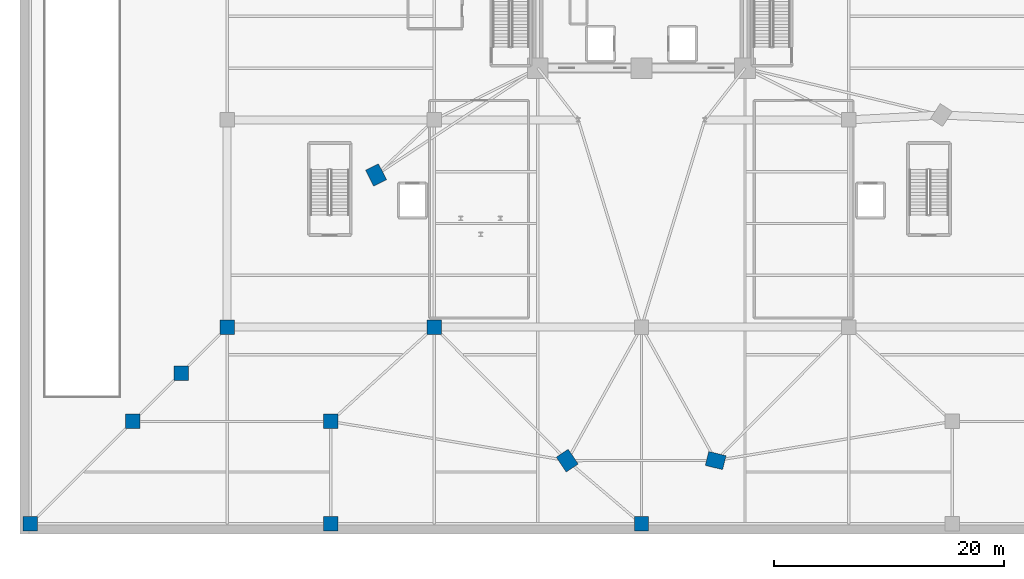
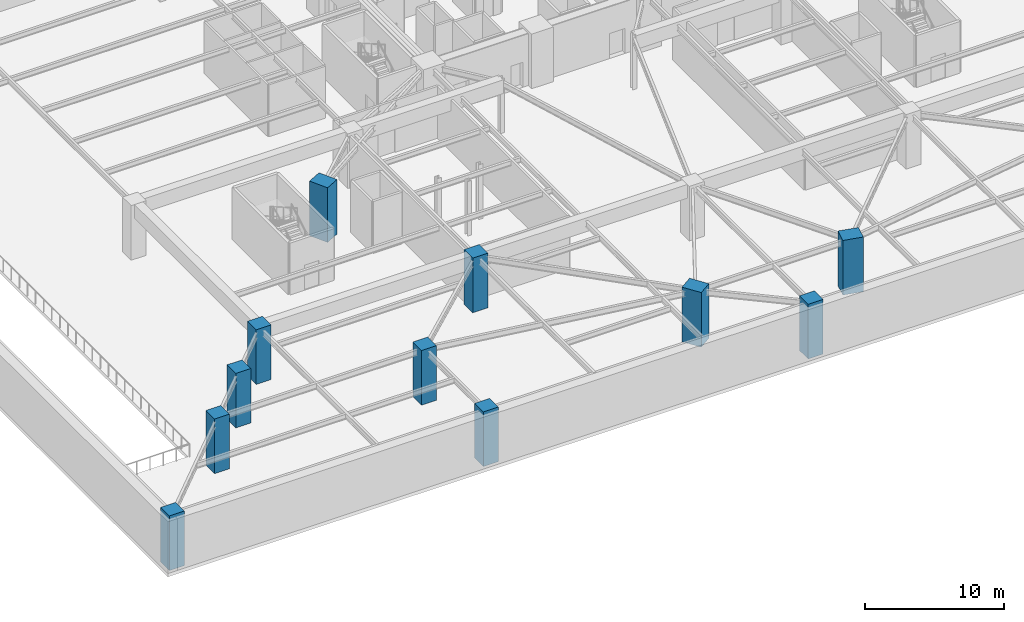
# One storey, part 1 of 20: 11 columns.
"""IFC4 building model written with IfcOpenShell, lengths in metres."""

from ifc_helpers import new_model, si_unit, direction, frame, origin, origin_2d, place, context, subcontext, project, spatial, rectangle, extrude, source, transform, mapped, material, material_profile, profile_set, type_object, element, save


model = new_model("IFC4")

# Units and contexts
model_context = context("Model", 3, precision=1e-05, world=origin(), true_north=direction((0.0, 1.0)))
body_context = subcontext(model_context, "Body", "Model", "MODEL_VIEW")
ifc_project = project(units=[si_unit("LENGTHUNIT", "METRE"), si_unit("AREAUNIT", "SQUARE_METRE"), si_unit("VOLUMEUNIT", "CUBIC_METRE"), si_unit("PLANEANGLEUNIT", "RADIAN"), si_unit("MASSUNIT", "GRAM", prefix="KILO")], contexts=[model_context])

# Site, building, storey
site_placement = place(None, origin())
site = spatial("IfcSite", under=ifc_project, at=site_placement, CompositionType="ELEMENT")
building_placement = place(site_placement, origin())
building = spatial("IfcBuilding", under=site, at=building_placement, Name="Liaohun Quay Tower", CompositionType="ELEMENT")
storey_placement = place(building_placement, frame((0.0, 0.0, -4.800048828125)))
storey = spatial("IfcBuildingStorey", under=building, at=storey_placement, Name="B1", CompositionType="ELEMENT", Elevation=-4.800048828125)

# Columns
ifc_material = material(Name="Concrete C60", Category="concrete")
ifc_material_profile_1 = material_profile(ifc_material, rectangle(XDim=1.550048828125, YDim=1.25, at=origin_2d()), Name="RC1550x1250")
ifc_profile_set_1 = profile_set([ifc_material_profile_1], Name="Concrete C60")
column_type_1 = type_object("IfcColumnType", Name="COL-PIER-Z1", PredefinedType="COLUMN", material=ifc_profile_set_1)
shared_shape_1 = source(origin(), body_context, "Body", "SweptSolid", [
    extrude(rectangle(XDim=1.550048828125, YDim=1.25, at=origin_2d()), origin(), (0.0, 0.0, 1.0), 4.800048828125),
])
for number, where, z_axis, x_axis, name in (
    (1, (53.5458984375, 12.39697265625, 0.0), (0.0, 0.0, 1.0), (-0.556005513314, 0.831178602446, 0.0), "B1 Tower Mega-Pier PC01"),
    (2, (66.447998046875, 12.39892578125, 0.0), (0.0, 0.0, 1.0), (-0.972043021443, 0.234802820391, 0.0), "B1 Tower Mega-Pier PC11"),
    (3, (36.94091796875, 37.217041015625, 0.0), (0.0, 0.0, 1.0), (-0.451500573218, 0.892270829056, 0.0), "B1 Tower Mega-Pier PC02"),
):
    element("IfcColumn", number, at=place(storey_placement, frame(where, z_axis=z_axis, x_axis=x_axis)), inside=storey, type_object=column_type_1, Name=name, PredefinedType="COLUMN", context=body_context, shape_type="MappedRepresentation", body=[
        mapped(shared_shape_1, transform((0.0, 0.0, 0.0), x_axis=(1.0, 0.0, 0.0), y_axis=(0.0, 1.0, 0.0), z_axis=(0.0, 0.0, 1.0), scale=1.0)),
    ])
ifc_material_profile_2 = material_profile(ifc_material, rectangle(XDim=1.25, YDim=1.25, at=origin_2d()), Name="RC1250x1250")
ifc_profile_set_2 = profile_set([ifc_material_profile_2], Name="Concrete C60")
column_type_2 = type_object("IfcColumnType", Name="COL-POD-B", PredefinedType="COLUMN", material=ifc_profile_set_2)
shared_shape_2 = source(origin(), body_context, "Body", "SweptSolid", [
    extrude(rectangle(XDim=1.25, YDim=1.25, at=origin_2d()), origin(), (0.0, 0.0, 1.0), 4.800048828125),
])
for number, where, z_axis, x_axis, name in (
    (4, (24.0, 24.0, 0.0), (0.0, 0.0, 1.0), (1.0, 0.0, 0.0), "B1 Podium Column PG01"),
    (5, (42.0, 24.0, 0.0), (0.0, 0.0, 1.0), (1.0, 0.0, 0.0), "B1 Podium Column PG02"),
    (6, (15.800048828125, 15.800048828125, 0.0), (0.0, 0.0, 1.0), (1.0, 0.0, 0.0), "B1 Podium Column PT01"),
    (7, (33.0, 15.800048828125, 0.0), (0.0, 0.0, 1.0), (1.0, 0.0, 0.0), "B1 Podium Column PT02"),
    (8, (20.0, 20.0, 0.0), (0.0, 0.0, 1.0), (1.0, 0.0, 0.0), "B1 Podium Column PT05"),
    (9, (6.89990234375, 6.89990234375, 0.0), (0.0, 0.0, 1.0), (1.0, 0.0, 0.0), "B1 Podium Column BP01"),
    (10, (33.0, 6.89990234375, 0.0), (0.0, 0.0, 1.0), (1.0, 0.0, 0.0), "B1 Podium Column BP02"),
    (11, (60.0, 6.89990234375, 0.0), (0.0, 0.0, 1.0), (1.0, 0.0, 0.0), "B1 Podium Column BP03"),
):
    element("IfcColumn", number, at=place(storey_placement, frame(where, z_axis=z_axis, x_axis=x_axis)), inside=storey, type_object=column_type_2, Name=name, PredefinedType="COLUMN", context=body_context, shape_type="MappedRepresentation", body=[
        mapped(shared_shape_2, transform((0.0, 0.0, 0.0), x_axis=(1.0, 0.0, 0.0), y_axis=(0.0, 1.0, 0.0), z_axis=(0.0, 0.0, 1.0), scale=1.0)),
    ])

save(model, "model.ifc")
